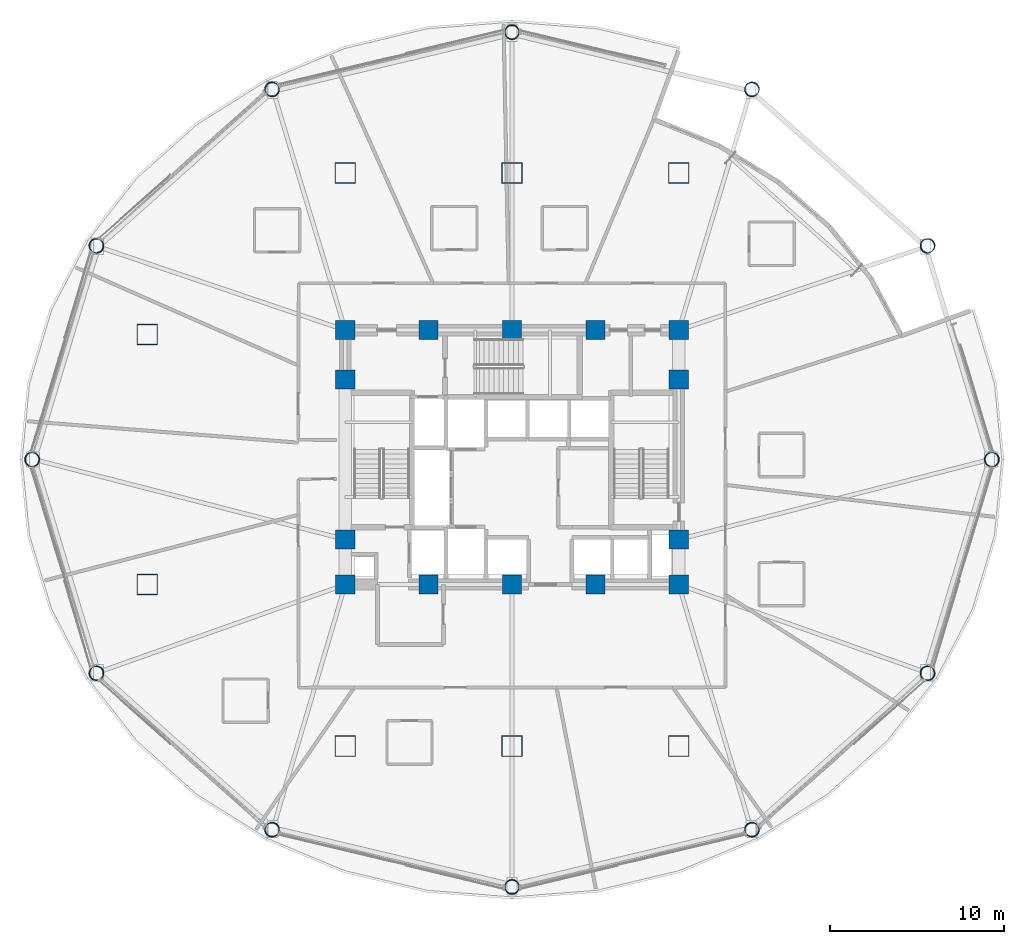
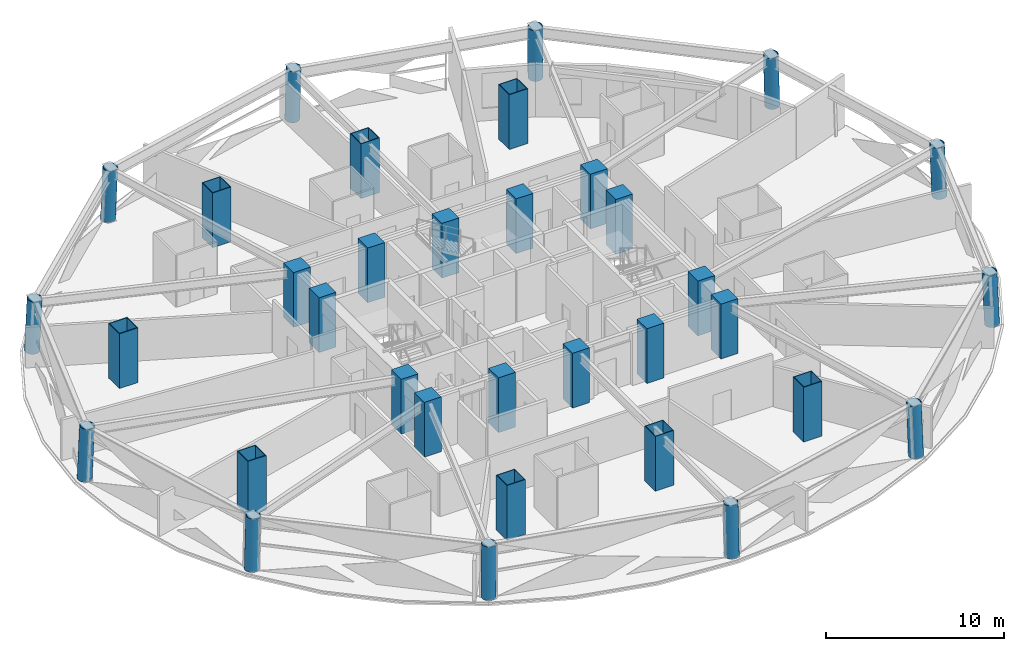
# One storey, part 1 of 16: 34 columns.
"""IFC4 building model written with IfcOpenShell, lengths in metres."""

from ifc_helpers import new_model, si_unit, direction, frame, origin, origin_2d, place, context, subcontext, project, spatial, rectangle, hollow_rectangle, hollow_circle, extrude, material, material_profile, profile_set, type_object, element, save


model = new_model("IFC4")

# Units and contexts
model_context = context("Model", 3, precision=1e-05, world=origin(), true_north=direction((0.0, 1.0)))
body_context = subcontext(model_context, "Body", "Model", "MODEL_VIEW")
ifc_project = project(units=[si_unit("LENGTHUNIT", "METRE"), si_unit("AREAUNIT", "SQUARE_METRE"), si_unit("VOLUMEUNIT", "CUBIC_METRE"), si_unit("PLANEANGLEUNIT", "RADIAN"), si_unit("MASSUNIT", "GRAM", prefix="KILO")], contexts=[model_context])

# Site, building, storey
site_placement = place(None, origin())
site = spatial("IfcSite", under=ifc_project, at=site_placement, CompositionType="ELEMENT")
building_placement = place(site_placement, origin())
building = spatial("IfcBuilding", under=site, at=building_placement, Name="Vantalir Tower", CompositionType="ELEMENT")
storey_placement = place(building_placement, frame((0.0, 0.0, 75.75)))
storey = spatial("IfcBuildingStorey", under=building, at=storey_placement, Name="L18", CompositionType="ELEMENT", Elevation=75.75)

# Columns
ifc_material_1 = material(Name="Concrete C60/75", Category="concrete")
ifc_material_profile_1 = material_profile(ifc_material_1, rectangle(XDim=1.10009765625, YDim=1.10009765625, at=origin_2d()), Name="Concrete C60/75")
ifc_profile_set_1 = profile_set([ifc_material_profile_1], Name="Concrete C60/75")
column_type_1 = type_object("IfcColumnType", Name="COL-CC-1100", PredefinedType="COLUMN", material=ifc_profile_set_1)
for number, where, z_axis, x_axis, name in (
    (1, (21.89990234375, 17.800048828125, 0.0), (0.0, 0.0, 1.0), (1.0, 0.0, 0.0), "L18 Core Column CC01"),
    (2, (26.699951171875, 17.800048828125, 0.0), (0.0, 0.0, 1.0), (1.0, 0.0, 0.0), "L18 Core Column CC02"),
    (3, (31.5, 17.800048828125, 0.0), (0.0, 0.0, 1.0), (1.0, 0.0, 0.0), "L18 Core Column CC03"),
    (4, (36.300048828125, 17.800048828125, 0.0), (0.0, 0.0, 1.0), (1.0, 0.0, 0.0), "L18 Core Column CC04"),
    (5, (41.10009765625, 17.800048828125, 0.0), (0.0, 0.0, 1.0), (1.0, 0.0, 0.0), "L18 Core Column CC05"),
    (6, (21.89990234375, 20.39990234375, 0.0), (0.0, 0.0, 1.0), (1.0, 0.0, 0.0), "L18 Core Column CC06"),
    (7, (21.89990234375, 29.60009765625, 0.0), (0.0, 0.0, 1.0), (1.0, 0.0, 0.0), "L18 Core Column CC07"),
    (8, (41.10009765625, 20.39990234375, 0.0), (0.0, 0.0, 1.0), (1.0, 0.0, 0.0), "L18 Core Column CC08"),
    (9, (41.10009765625, 29.60009765625, 0.0), (0.0, 0.0, 1.0), (1.0, 0.0, 0.0), "L18 Core Column CC09"),
    (10, (21.89990234375, 32.449951171875, 0.0), (0.0, 0.0, 1.0), (1.0, 0.0, 0.0), "L18 Core Column CC10"),
    (11, (26.699951171875, 32.449951171875, 0.0), (0.0, 0.0, 1.0), (1.0, 0.0, 0.0), "L18 Core Column CC11"),
    (12, (31.5, 32.449951171875, 0.0), (0.0, 0.0, 1.0), (1.0, 0.0, 0.0), "L18 Core Column CC12"),
    (13, (36.300048828125, 32.449951171875, 0.0), (0.0, 0.0, 1.0), (1.0, 0.0, 0.0), "L18 Core Column CC13"),
    (14, (41.10009765625, 32.449951171875, 0.0), (0.0, 0.0, 1.0), (1.0, 0.0, 0.0), "L18 Core Column CC14"),
):
    element("IfcColumn", number, at=place(storey_placement, frame(where, z_axis=z_axis, x_axis=x_axis)), inside=storey, type_object=column_type_1, Name=name, PredefinedType="COLUMN", context=body_context, shape_type="SweptSolid", body=[
        extrude(rectangle(XDim=1.10009765625, YDim=1.10009765625, at=origin_2d()), origin(), (0.0, 0.0, 1.0), 3.75),
    ])
ifc_material_2 = material(Name="Steel S460", Category="steel")
ifc_material_profile_2 = material_profile(ifc_material_2, hollow_rectangle(XDim=1.199951171875, YDim=1.199951171875, WallThickness=0.044921875, at=origin_2d()), Name="Steel S460")
ifc_profile_set_2 = profile_set([ifc_material_profile_2], Name="Steel S460")
column_type_2 = type_object("IfcColumnType", Name="COL-MC-1200", PredefinedType="COLUMN", material=ifc_profile_set_2)
for number, where, z_axis, x_axis, name in (
    (15, (21.89990234375, 8.5, 0.0), (0.0, 0.0, 1.0), (1.0, 0.0, 0.0), "L18 S460 Mega-Column MC01"),
    (16, (31.5, 8.5, 0.0), (0.0, 0.0, 1.0), (1.0, 0.0, 0.0), "L18 S460 Mega-Column MC02"),
    (17, (41.10009765625, 8.5, 0.0), (0.0, 0.0, 1.0), (1.0, 0.0, 0.0), "L18 S460 Mega-Column MC03"),
    (18, (10.5, 17.800048828125, 0.0), (0.0, 0.0, 1.0), (1.0, 0.0, 0.0), "L18 S460 Mega-Column MC04"),
    (19, (10.5, 32.199951171875, 0.0), (0.0, 0.0, 1.0), (1.0, 0.0, 0.0), "L18 S460 Mega-Column MC05"),
    (20, (21.89990234375, 41.5, 0.0), (0.0, 0.0, 1.0), (1.0, 0.0, 0.0), "L18 S460 Mega-Column MC06"),
    (21, (31.5, 41.5, 0.0), (0.0, 0.0, 1.0), (1.0, 0.0, 0.0), "L18 S460 Mega-Column MC07"),
    (22, (41.10009765625, 41.5, 0.0), (0.0, 0.0, 1.0), (1.0, 0.0, 0.0), "L18 S460 Mega-Column MC08"),
):
    element("IfcColumn", number, at=place(storey_placement, frame(where, z_axis=z_axis, x_axis=x_axis)), inside=storey, type_object=column_type_2, Name=name, PredefinedType="COLUMN", context=body_context, shape_type="SweptSolid", body=[
        extrude(hollow_rectangle(XDim=1.199951171875, YDim=1.199951171875, WallThickness=0.044921875, at=origin_2d()), origin(), (0.0, 0.0, 1.0), 3.75),
    ])
ifc_material_profile_3 = material_profile(ifc_material_2, hollow_circle(Radius=0.425048828125, WallThickness=0.0400390625, at=origin_2d()), Name="Steel S460")
ifc_profile_set_3 = profile_set([ifc_material_profile_3], Name="Steel S460")
column_type_3 = type_object("IfcColumnType", Name="COL-RC-850", PredefinedType="COLUMN", material=ifc_profile_set_3)
column_1_placement = place(storey_placement, frame((59.14990234375, 25.0, 0.0), z_axis=(-0.041951682921, 0.0, 0.999119640634), x_axis=(0.0, -1.0, 0.0)))
element("IfcColumn", 23, at=column_1_placement, inside=storey, type_object=column_type_3, Name="L18 Perimeter Ring Column RC01", PredefinedType="COLUMN", context=body_context, shape_type="SweptSolid", body=[
    extrude(hollow_circle(Radius=0.425048828125, WallThickness=0.0400390625, at=origin_2d()), origin(), (0.0, 0.0, 1.0), 3.5732421875),
])
column_2_placement = place(storey_placement, frame((55.446044921875, 37.31396484375, 0.0), z_axis=(-0.03641885619, -0.018721888548, 0.999161227132), x_axis=(0.457197196227, -0.889365348865, 0.0)))
element("IfcColumn", 24, at=column_2_placement, inside=storey, type_object=column_type_3, Name="L18 Perimeter Ring Column RC02", PredefinedType="COLUMN", context=body_context, shape_type="SweptSolid", body=[
    extrude(hollow_circle(Radius=0.425048828125, WallThickness=0.0400390625, at=origin_2d()), origin(), (0.0, 0.0, 1.0), 3.572998046875),
])
column_3_placement = place(storey_placement, frame((45.324951171875, 46.3291015625, 0.0), z_axis=(-0.020978592197, -0.032527068032, 0.999250663505), x_axis=(0.840374471714, -0.542006224404, 0.0)))
element("IfcColumn", 25, at=column_3_placement, inside=storey, type_object=column_type_3, Name="L18 Perimeter Ring Column RC03", PredefinedType="COLUMN", context=body_context, shape_type="SweptSolid", body=[
    extrude(hollow_circle(Radius=0.425048828125, WallThickness=0.0400390625, at=origin_2d()), origin(), (0.0, 0.0, 1.0), 3.57275390625),
])
column_4_placement = place(storey_placement, frame((31.5, 49.62890625, 0.0), z_axis=(0.0, -0.037448923039, 0.999298543061), x_axis=(1.0, 0.0, 0.0)))
element("IfcColumn", 26, at=column_4_placement, inside=storey, type_object=column_type_3, Name="L18 Perimeter Ring Column RC04", PredefinedType="COLUMN", context=body_context, shape_type="SweptSolid", body=[
    extrude(hollow_circle(Radius=0.425048828125, WallThickness=0.0400390625, at=origin_2d()), origin(), (0.0, 0.0, 1.0), 3.572509765625),
])
column_5_placement = place(storey_placement, frame((17.675048828125, 46.3291015625, 0.0), z_axis=(0.020978592197, -0.032527068032, 0.999250663505), x_axis=(0.840374471714, 0.542006224404, 0.0)))
element("IfcColumn", 27, at=column_5_placement, inside=storey, type_object=column_type_3, Name="L18 Perimeter Ring Column RC05", PredefinedType="COLUMN", context=body_context, shape_type="SweptSolid", body=[
    extrude(hollow_circle(Radius=0.425048828125, WallThickness=0.0400390625, at=origin_2d()), origin(), (0.0, 0.0, 1.0), 3.57275390625),
])
column_6_placement = place(storey_placement, frame((7.553955078125, 37.31396484375, 0.0), z_axis=(0.03641885619, -0.018721888548, 0.999161227132), x_axis=(0.457197196227, 0.889365348865, 0.0)))
element("IfcColumn", 28, at=column_6_placement, inside=storey, type_object=column_type_3, Name="L18 Perimeter Ring Column RC06", PredefinedType="COLUMN", context=body_context, shape_type="SweptSolid", body=[
    extrude(hollow_circle(Radius=0.425048828125, WallThickness=0.0400390625, at=origin_2d()), origin(), (0.0, 0.0, 1.0), 3.572998046875),
])
column_7_placement = place(storey_placement, frame((3.85009765625, 25.0, 0.0), z_axis=(0.041951682921, 0.0, 0.999119640634), x_axis=(0.0, 1.0, 0.0)))
element("IfcColumn", 29, at=column_7_placement, inside=storey, type_object=column_type_3, Name="L18 Perimeter Ring Column RC07", PredefinedType="COLUMN", context=body_context, shape_type="SweptSolid", body=[
    extrude(hollow_circle(Radius=0.425048828125, WallThickness=0.0400390625, at=origin_2d()), origin(), (0.0, 0.0, 1.0), 3.5732421875),
])
column_8_placement = place(storey_placement, frame((7.553955078125, 12.68505859375, 0.0), z_axis=(0.03641885619, 0.018721888548, 0.999161227132), x_axis=(-0.457197196227, 0.889365348865, 0.0)))
element("IfcColumn", 30, at=column_8_placement, inside=storey, type_object=column_type_3, Name="L18 Perimeter Ring Column RC08", PredefinedType="COLUMN", context=body_context, shape_type="SweptSolid", body=[
    extrude(hollow_circle(Radius=0.425048828125, WallThickness=0.0400390625, at=origin_2d()), origin(), (0.0, 0.0, 1.0), 3.572998046875),
])
column_9_placement = place(storey_placement, frame((17.675048828125, 3.6708984375, 0.0), z_axis=(0.020978592197, 0.032527068032, 0.999250663505), x_axis=(-0.840374471714, 0.542006224404, 0.0)))
element("IfcColumn", 31, at=column_9_placement, inside=storey, type_object=column_type_3, Name="L18 Perimeter Ring Column RC09", PredefinedType="COLUMN", context=body_context, shape_type="SweptSolid", body=[
    extrude(hollow_circle(Radius=0.425048828125, WallThickness=0.0400390625, at=origin_2d()), origin(), (0.0, 0.0, 1.0), 3.57275390625),
])
column_10_placement = place(storey_placement, frame((31.5, 0.37109375, 0.0), z_axis=(0.0, 0.037448923039, 0.999298543061), x_axis=(-1.0, 0.0, 0.0)))
element("IfcColumn", 32, at=column_10_placement, inside=storey, type_object=column_type_3, Name="L18 Perimeter Ring Column RC10", PredefinedType="COLUMN", context=body_context, shape_type="SweptSolid", body=[
    extrude(hollow_circle(Radius=0.425048828125, WallThickness=0.0400390625, at=origin_2d()), origin(), (0.0, 0.0, 1.0), 3.572509765625),
])
column_11_placement = place(storey_placement, frame((45.324951171875, 3.6708984375, 0.0), z_axis=(-0.020978592197, 0.032527068032, 0.999250663505), x_axis=(-0.840374471714, -0.542006224404, 0.0)))
element("IfcColumn", 33, at=column_11_placement, inside=storey, type_object=column_type_3, Name="L18 Perimeter Ring Column RC11", PredefinedType="COLUMN", context=body_context, shape_type="SweptSolid", body=[
    extrude(hollow_circle(Radius=0.425048828125, WallThickness=0.0400390625, at=origin_2d()), origin(), (0.0, 0.0, 1.0), 3.57275390625),
])
column_12_placement = place(storey_placement, frame((55.446044921875, 12.68505859375, 0.0), z_axis=(-0.03641885619, 0.018721888548, 0.999161227132), x_axis=(-0.457197196227, -0.889365348865, 0.0)))
element("IfcColumn", 34, at=column_12_placement, inside=storey, type_object=column_type_3, Name="L18 Perimeter Ring Column RC12", PredefinedType="COLUMN", context=body_context, shape_type="SweptSolid", body=[
    extrude(hollow_circle(Radius=0.425048828125, WallThickness=0.0400390625, at=origin_2d()), origin(), (0.0, 0.0, 1.0), 3.572998046875),
])

save(model, "model.ifc")
